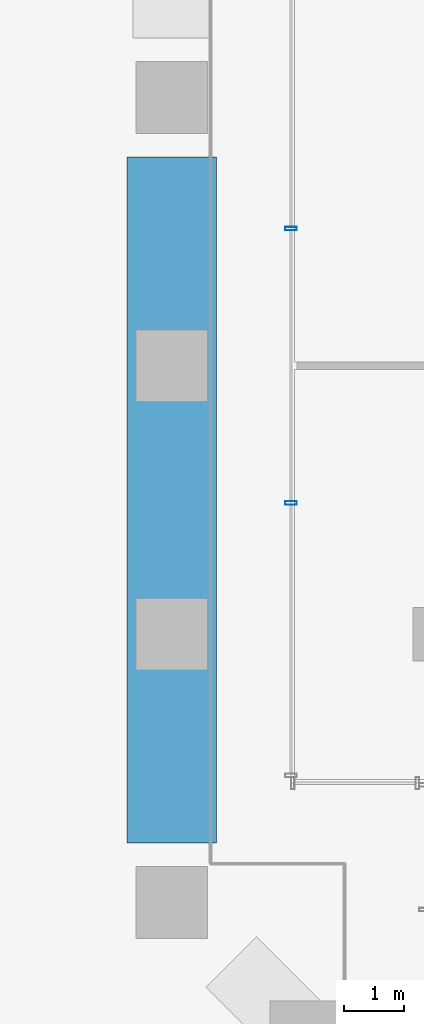
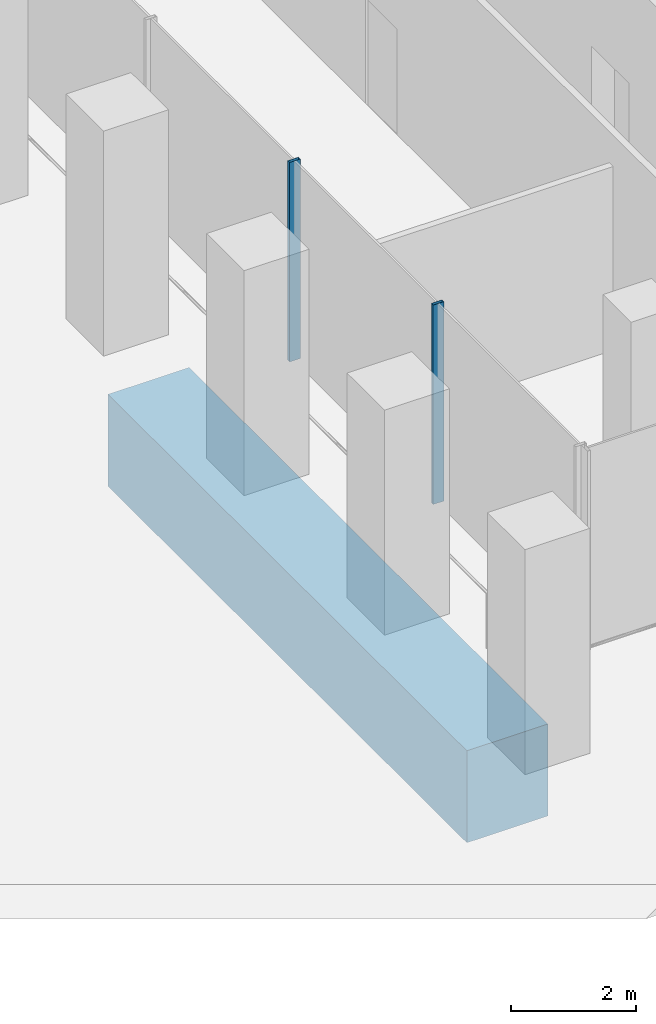
# One storey, part 16 of 32: 2 members, 1 beam, 1 element without a shape of its own.
"""IFC4 building model written with IfcOpenShell, lengths in metres."""

from ifc_helpers import new_model, si_unit, direction, frame, origin, origin_2d, place, context, subcontext, project, spatial, rectangle, hollow_rectangle, extrude, material, material_profile, profile_set, type_object, element, aggregate, save


model = new_model("IFC4")

# Units and contexts
model_context = context("Model", 3, precision=1e-05, world=origin(), true_north=direction((0.0, 1.0)))
body_context = subcontext(model_context, "Body", "Model", "MODEL_VIEW")
ifc_project = project(units=[si_unit("LENGTHUNIT", "METRE"), si_unit("AREAUNIT", "SQUARE_METRE"), si_unit("VOLUMEUNIT", "CUBIC_METRE"), si_unit("PLANEANGLEUNIT", "RADIAN"), si_unit("MASSUNIT", "GRAM", prefix="KILO")], contexts=[model_context])

# Site, building, storey
site_placement = place(None, origin())
site = spatial("IfcSite", under=ifc_project, at=site_placement, CompositionType="ELEMENT")
building_placement = place(site_placement, origin())
building = spatial("IfcBuilding", under=site, at=building_placement, Name="Altepetl Exchange Towers", CompositionType="ELEMENT")
storey_placement = place(building_placement, frame((0.0, 0.0, 21.0)))
storey = spatial("IfcBuildingStorey", under=building, at=storey_placement, Name="L04", CompositionType="ELEMENT", Elevation=21.0)

# Curtain wall, members
ifc_material_1 = material(Name="Aluminium 6063-T6 glazing", Category="aluminium")
curtain_wall_type = type_object("IfcCurtainWallType", Name="Trading floor glazing system", PredefinedType="NOTDEFINED", material=ifc_material_1)
curtain_wall_placement = place(storey_placement, origin())
curtain_wall = element("IfcCurtainWall", 1, at=curtain_wall_placement, inside=storey, type_object=curtain_wall_type, Name="CW2 run", PredefinedType="NOTDEFINED")
ifc_material_2 = material(Name="Aluminium 6063-T6", Category="aluminium")
ifc_material_profile_1 = material_profile(ifc_material_2, hollow_rectangle(XDim=0.06005859375, YDim=0.199951171875, WallThickness=0.0029296875, at=origin_2d()), Name="Mullion 60x200 aluminium")
ifc_profile_set_1 = profile_set([ifc_material_profile_1], Name="Aluminium 6063-T6")
member_type = type_object("IfcMemberType", Name="Mullion 60x200 aluminium", PredefinedType="MULLION", material=ifc_profile_set_1)
member_1_placement = place(storey_placement, frame((96.5, 42.800048828125, 0.0), z_axis=(0.0, 0.0, 1.0), x_axis=(0.0, -1.0, 0.0)))
member_1 = element("IfcMember", 2, at=member_1_placement, type_object=member_type, Name="MU2 mullion", PredefinedType="MULLION", context=body_context, shape_type="SweptSolid", body=[
    extrude(hollow_rectangle(XDim=0.06005859375, YDim=0.199951171875, WallThickness=0.0029296875, at=origin_2d()), origin(), (0.0, 0.0, 1.0), 3.89990234375),
])
member_2_placement = place(storey_placement, frame((96.5, 38.199951171875, 0.0), z_axis=(0.0, 0.0, 1.0), x_axis=(0.0, -1.0, 0.0)))
member_2 = element("IfcMember", 3, at=member_2_placement, type_object=member_type, Name="MU2 mullion", PredefinedType="MULLION", context=body_context, shape_type="SweptSolid", body=[
    extrude(hollow_rectangle(XDim=0.06005859375, YDim=0.199951171875, WallThickness=0.0029296875, at=origin_2d()), origin(), (0.0, 0.0, 1.0), 3.89990234375),
])
aggregate(curtain_wall, [member_1, member_2])

# Beam
ifc_material_3 = material(Name="Concrete C60/75", Category="concrete")
ifc_material_profile_2 = material_profile(ifc_material_3, rectangle(XDim=1.5, YDim=1.800048828125, at=origin_2d()), Name="1500 x 1800")
ifc_profile_set_2 = profile_set([ifc_material_profile_2], Name="Concrete C60/75")
beam_type = type_object("IfcBeamType", Name="Transfer girder 1500x1800", PredefinedType="BEAM", material=ifc_profile_set_2)
beam_placement = place(storey_placement, frame((94.5, 32.5, -1.35009765625), z_axis=(0.0, 1.0, 0.0), x_axis=(-1.0, 0.0, 0.0)))
element("IfcBeam", 4, at=beam_placement, inside=storey, type_object=beam_type, Name="bm:B:L04:tg06", PredefinedType="BEAM", context=body_context, shape_type="SweptSolid", body=[
    extrude(rectangle(XDim=1.5, YDim=1.800048828125, at=origin_2d()), origin(), (0.0, 0.0, 1.0), 11.5),
])

save(model, "model.ifc")
